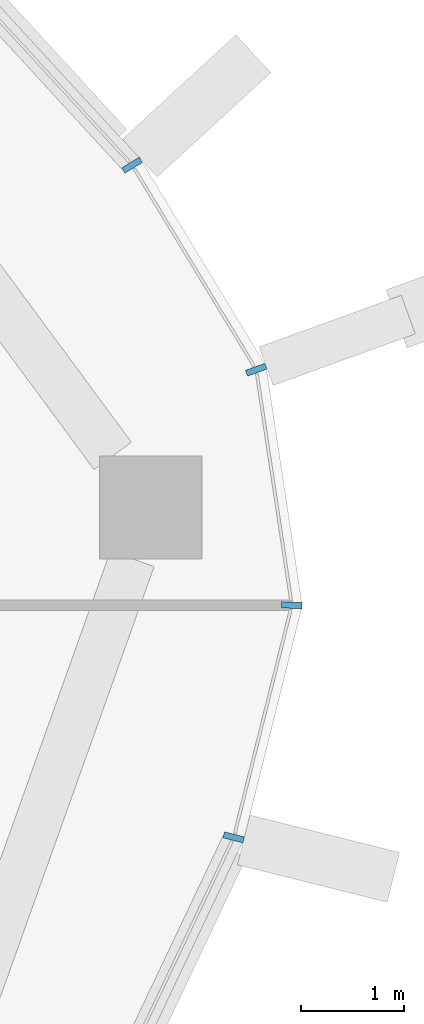
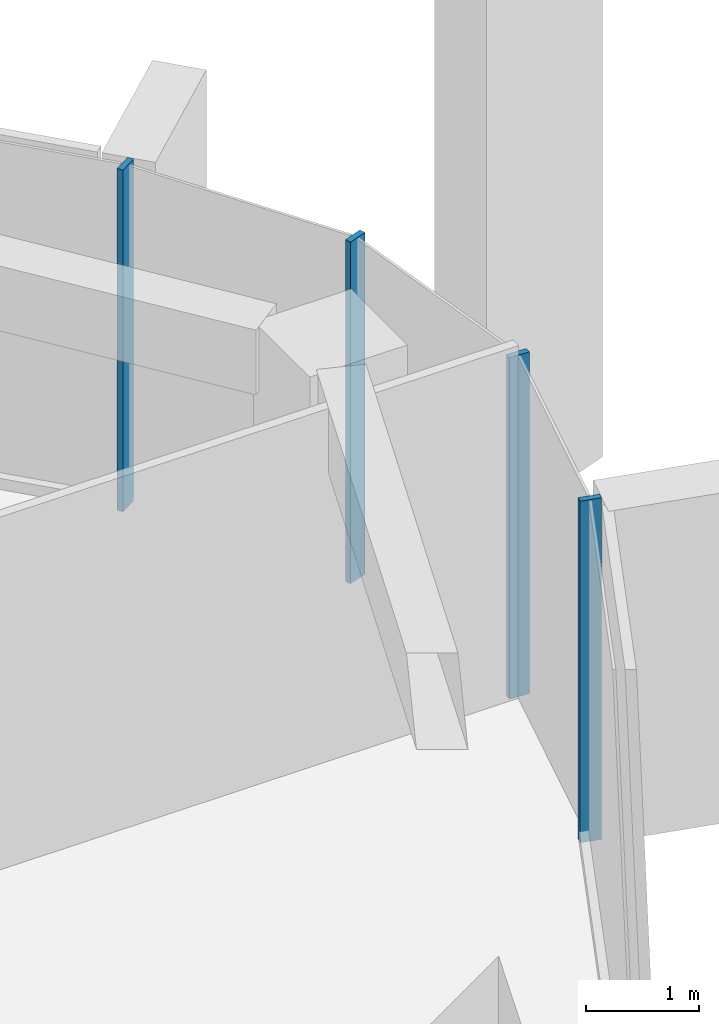
# One storey, part 10 of 24: 4 members, 1 element without a shape of its own.
"""IFC4 building model written with IfcOpenShell, lengths in metres."""

from ifc_helpers import new_model, si_unit, direction, frame, origin, origin_2d, place, context, subcontext, project, spatial, rectangle, extrude, material, layer, layer_set, material_profile, profile_set, type_object, element, aggregate, save


model = new_model("IFC4")

# Units and contexts
model_context = context("Model", 3, precision=1e-05, world=origin(), true_north=direction((0.0, 1.0)))
body_context = subcontext(model_context, "Body", "Model", "MODEL_VIEW")
ifc_project = project(units=[si_unit("LENGTHUNIT", "METRE"), si_unit("AREAUNIT", "SQUARE_METRE"), si_unit("VOLUMEUNIT", "CUBIC_METRE"), si_unit("PLANEANGLEUNIT", "RADIAN"), si_unit("MASSUNIT", "GRAM", prefix="KILO")], contexts=[model_context])

# Site, building, storey
site_placement = place(None, origin())
site = spatial("IfcSite", under=ifc_project, at=site_placement, CompositionType="ELEMENT")
building_placement = place(site_placement, origin())
building = spatial("IfcBuilding", under=site, at=building_placement, Name="Dongbaek Canopy Tower", CompositionType="ELEMENT")
storey_placement = place(building_placement, frame((0.0, 0.0, 344.60009765625)))
storey = spatial("IfcBuildingStorey", under=building, at=storey_placement, Name="L74", CompositionType="ELEMENT", Elevation=344.60009765625)

# Curtain wall, members
ifc_material_1 = material(Name="Aluminium 6063-T6 pale anodised", Category="aluminium")
ifc_layer = layer(ifc_material_1, 0.199951171875)
ifc_layer_set = layer_set([ifc_layer], Name="CW-1 unitised tower curtain wall")
curtain_wall_type = type_object("IfcCurtainWallType", Name="CW-1 unitised tower curtain wall", PredefinedType="NOTDEFINED", material=ifc_layer_set)
curtain_wall_placement = place(storey_placement, origin())
curtain_wall = element("IfcCurtainWall", 1, at=curtain_wall_placement, inside=storey, type_object=curtain_wall_type, Name="CW-1 curtain wall K0.1", PredefinedType="NOTDEFINED")
ifc_material_2 = material(Name="Aluminium 6063-T6 pale anodised", Category="aluminium")
ifc_material_profile = material_profile(ifc_material_2, rectangle(XDim=0.199951171875, YDim=0.06005859375, at=origin_2d()), Name="CW-1 mullion 60 x 200")
ifc_profile_set = profile_set([ifc_material_profile], Name="Aluminium 6063-T6 pale anodised")
member_type = type_object("IfcMemberType", Name="CW-1 mullion 60 x 200", PredefinedType="MULLION", material=ifc_profile_set)
member_1_placement = place(storey_placement, frame((31.612060546875, 3.489501953125, 0.0), z_axis=(0.0, 0.0, 1.0), x_axis=(0.970078061665, -0.242793233587, 0.0)))
member_1 = element("IfcMember", 2, at=member_1_placement, type_object=member_type, Name="CW-1 mullion K0.1.1", PredefinedType="MULLION", context=body_context, shape_type="SweptSolid", body=[
    extrude(rectangle(XDim=0.199951171875, YDim=0.06005859375, at=origin_2d()), origin(), (0.0, 0.0, 1.0), 3.699951171875),
])
member_2_placement = place(storey_placement, frame((32.177001953125, 5.745849609375, 0.0), z_axis=(0.0, 0.0, 1.0), x_axis=(0.998865806551, -0.047614078833, 0.0)))
member_2 = element("IfcMember", 3, at=member_2_placement, type_object=member_type, Name="CW-1 mullion K0.1.2", PredefinedType="MULLION", context=body_context, shape_type="SweptSolid", body=[
    extrude(rectangle(XDim=0.199951171875, YDim=0.06005859375, at=origin_2d()), origin(), (0.0, 0.0, 1.0), 3.699951171875),
])
member_3_placement = place(storey_placement, frame((31.830810546875, 8.03564453125, 0.0), z_axis=(0.0, 0.0, 1.0), x_axis=(0.940195634405, 0.34063494983, 0.0)))
member_3 = element("IfcMember", 4, at=member_3_placement, type_object=member_type, Name="CW-1 mullion K0.1.3", PredefinedType="MULLION", context=body_context, shape_type="SweptSolid", body=[
    extrude(rectangle(XDim=0.199951171875, YDim=0.06005859375, at=origin_2d()), origin(), (0.0, 0.0, 1.0), 3.699951171875),
])
member_4_placement = place(storey_placement, frame((30.62451171875, 10.024658203125, 0.0), z_axis=(0.0, 0.0, 1.0), x_axis=(0.855021373835, 0.518592759576, 0.0)))
member_4 = element("IfcMember", 5, at=member_4_placement, type_object=member_type, Name="CW-1 mullion K0.1.4", PredefinedType="MULLION", context=body_context, shape_type="SweptSolid", body=[
    extrude(rectangle(XDim=0.199951171875, YDim=0.06005859375, at=origin_2d()), origin(), (0.0, 0.0, 1.0), 3.699951171875),
])
aggregate(curtain_wall, [member_1, member_2, member_3, member_4])

save(model, "model.ifc")
